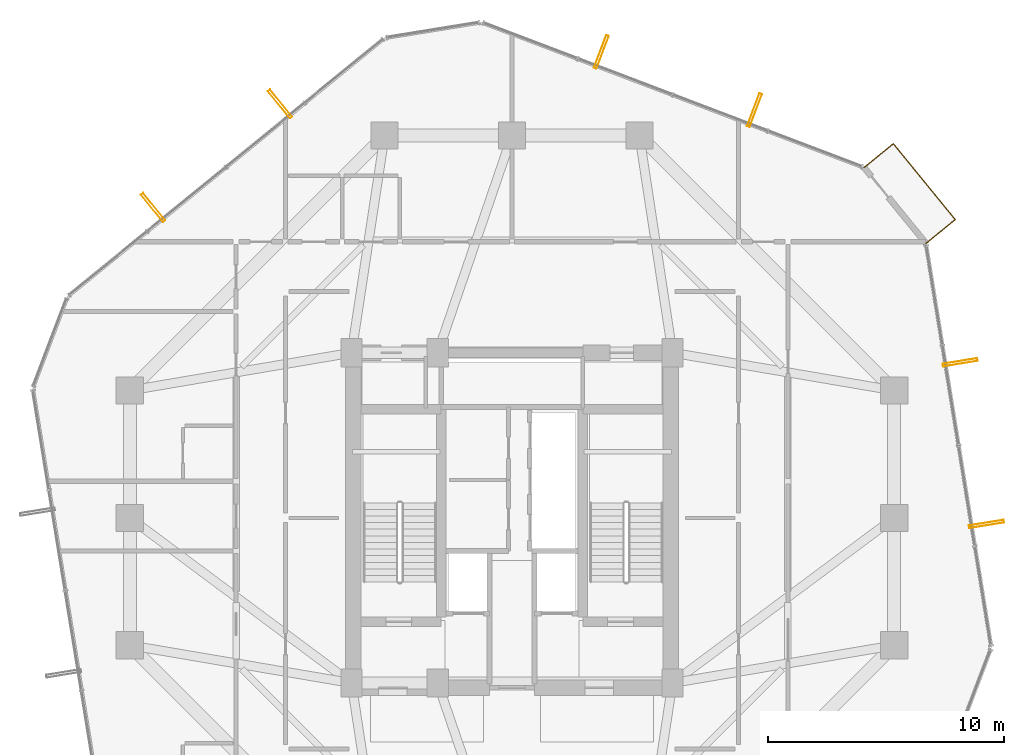
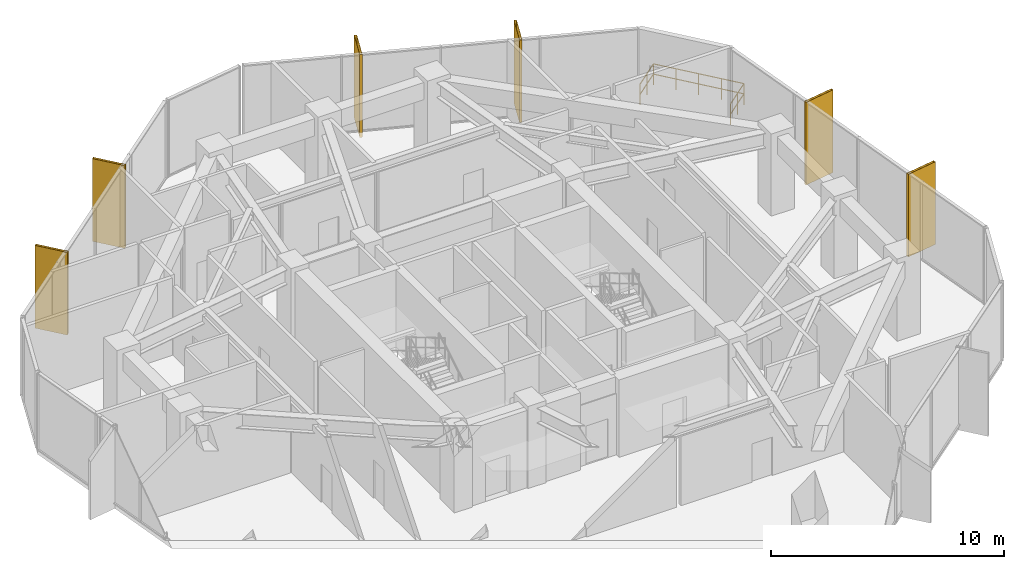
# One storey, part 26 of 26: 6 shading devices, 1 railing.
"""IFC4 building model written with IfcOpenShell, lengths in metres."""

from ifc_helpers import new_model, si_unit, direction, frame, origin, origin_2d, place, context, subcontext, project, spatial, hollow_rectangle, circle, extrude, material, material_profile, profile_set, type_object, element, save


model = new_model("IFC4")

# Units and contexts
model_context = context("Model", 3, precision=1e-05, world=origin(), true_north=direction((0.0, 1.0)))
body_context = subcontext(model_context, "Body", "Model", "MODEL_VIEW")
ifc_project = project(units=[si_unit("LENGTHUNIT", "METRE"), si_unit("AREAUNIT", "SQUARE_METRE"), si_unit("VOLUMEUNIT", "CUBIC_METRE"), si_unit("PLANEANGLEUNIT", "RADIAN"), si_unit("MASSUNIT", "GRAM", prefix="KILO")], contexts=[model_context])

# Site, building, storey
site_placement = place(None, origin())
site = spatial("IfcSite", under=ifc_project, at=site_placement, CompositionType="ELEMENT")
building_placement = place(site_placement, origin())
building = spatial("IfcBuilding", under=site, at=building_placement, Name="Veraguas Prism Commons", CompositionType="ELEMENT")
storey_placement = place(building_placement, frame((0.0, 0.0, 158.75)))
storey = spatial("IfcBuildingStorey", under=building, at=storey_placement, Name="L45", CompositionType="ELEMENT", Elevation=158.75)

# Shading devices
ifc_material_1 = material(Name="Anodised aluminium EN AW-6063 T6", Category="aluminium")
ifc_material_profile = material_profile(ifc_material_1, hollow_rectangle(XDim=0.1201171875, YDim=1.489990234375, WallThickness=0.006103515625, at=origin_2d()), Name="FIN120X1490X6")
ifc_profile_set = profile_set([ifc_material_profile], Name="Anodised aluminium EN AW-6063 T6")
shading_device_type = type_object("IfcShadingDeviceType", Name="Deep Pale-Metal Vertical Solar Fin 120x1490", PredefinedType="USERDEFINED", material=ifc_profile_set)
for number, where, z_axis, x_axis, name in (
    (1, (34.278564453125, 41.283935546875, -0.260009765625), (0.0, 0.0, 1.0), (-0.934825056616, 0.355108593986, 0.0), "Vertical Pale-Metal Solar Fin L45-F1A"),
    (2, (27.7890625, 43.7490234375, -0.260009765625), (0.0, 0.0, 1.0), (-0.934825056616, 0.355108593986, 0.0), "Vertical Pale-Metal Solar Fin L45-F1B"),
    (3, (14.1708984375, 41.54345703125, -0.260009765625), (0.0, 0.0, 1.0), (-0.774944488704, -0.632029302665, 0.0), "Vertical Pale-Metal Solar Fin L45-F2A"),
    (4, (8.79150390625, 37.156005859375, -0.260009765625), (0.0, 0.0, 1.0), (-0.774944488704, -0.632029302665, 0.0), "Vertical Pale-Metal Solar Fin L45-F2B"),
    (5, (44.107666015625, 23.740478515625, -0.260009765625), (0.0, 0.0, 1.0), (-0.159877741935, 0.987136823158, 0.0), "Vertical Pale-Metal Solar Fin L45-F6A"),
    (6, (42.997802734375, 30.593017578125, -0.260009765625), (0.0, 0.0, 1.0), (-0.159877741935, 0.987136823158, 0.0), "Vertical Pale-Metal Solar Fin L45-F6B"),
):
    element("IfcShadingDevice", number, at=place(storey_placement, frame(where, z_axis=z_axis, x_axis=x_axis)), inside=storey, type_object=shading_device_type, Name=name, ObjectType="FIN", PredefinedType="USERDEFINED", context=body_context, shape_type="SweptSolid", body=[
        extrude(hollow_rectangle(XDim=0.1201171875, YDim=1.489990234375, WallThickness=0.006103515625, at=origin_2d()), origin(), (0.0, 0.0, 1.0), 4.330078125),
    ])

# Railing
ifc_material_2 = material(Name="Stainless steel AISI 316", Category="steel")
railing_type = type_object("IfcRailingType", Name="Loggia and Sky Pool Glazed Balustrade 1120", PredefinedType="BALUSTRADE", material=ifc_material_2)
railing_placement = place(storey_placement, frame((41.54833984375, 35.632568359375, 0.0)))
element("IfcRailing", 7, at=railing_placement, inside=storey, type_object=railing_type, Name="Recessed Corner Loggia L45-C1 Guard", PredefinedType="BALUSTRADE", context=body_context, shape_type="SweptSolid", body=[
    extrude(circle(Radius=0.02392578125, at=origin_2d()), frame((0.0, 0.0, 1.09619140625), z_axis=(0.774969248877, 0.631998942479, 0.0), x_axis=(-0.631998942479, 0.774969248877, 0.0)), (0.0, 0.0, 1.0), 1.60009765625),
    extrude(circle(Radius=0.02392578125, at=origin_2d()), frame((0.0, 0.0, 0.56005859375), z_axis=(0.774969248877, 0.631998942479, 0.0), x_axis=(-0.631998942479, 0.774969248877, 0.0)), (0.0, 0.0, 1.0), 1.60009765625),
    extrude(circle(Radius=0.02392578125, at=origin_2d()), frame((1.239990234375, 1.01123046875, 1.09619140625), z_axis=(-0.632036629744, 0.774938512827, 0.0), x_axis=(-0.774938512827, -0.632036629744, 0.0)), (0.0, 0.0, 1.0), 4.1533203125),
    extrude(circle(Radius=0.02392578125, at=origin_2d()), frame((1.239990234375, 1.01123046875, 0.56005859375), z_axis=(-0.632036629744, 0.774938512827, 0.0), x_axis=(-0.774938512827, -0.632036629744, 0.0)), (0.0, 0.0, 1.0), 4.1533203125),
    extrude(circle(Radius=0.02392578125, at=origin_2d()), frame((-1.385009765625, 4.229736328125, 1.09619140625), z_axis=(-0.774833550857, -0.632165301536, 0.0), x_axis=(0.632165301536, -0.774833550857, 0.0)), (0.0, 0.0, 1.0), 1.60009765625),
    extrude(circle(Radius=0.02392578125, at=origin_2d()), frame((-1.385009765625, 4.229736328125, 0.56005859375), z_axis=(-0.774833550857, -0.632165301536, 0.0), x_axis=(0.632165301536, -0.774833550857, 0.0)), (0.0, 0.0, 1.0), 1.60009765625),
    extrude(circle(Radius=0.02099609375, at=origin_2d()), origin(), (0.0, 0.0, 1.0), 1.072021484375),
    extrude(circle(Radius=0.02099609375, at=origin_2d()), frame((0.6201171875, 0.505615234375, 0.0)), (0.0, 0.0, 1.0), 1.072021484375),
    extrude(circle(Radius=0.02099609375, at=origin_2d()), frame((1.239990234375, 1.01123046875, 0.0)), (0.0, 0.0, 1.0), 1.072021484375),
    extrude(circle(Radius=0.02099609375, at=origin_2d()), frame((0.583740234375, 1.81591796875, 0.0)), (0.0, 0.0, 1.0), 1.072021484375),
    extrude(circle(Radius=0.02099609375, at=origin_2d()), frame((-0.072509765625, 2.62060546875, 0.0)), (0.0, 0.0, 1.0), 1.072021484375),
    extrude(circle(Radius=0.02099609375, at=origin_2d()), frame((-0.728759765625, 3.425048828125, 0.0)), (0.0, 0.0, 1.0), 1.072021484375),
    extrude(circle(Radius=0.02099609375, at=origin_2d()), frame((-1.385009765625, 4.229736328125, 0.0)), (0.0, 0.0, 1.0), 1.072021484375),
    extrude(circle(Radius=0.02099609375, at=origin_2d()), frame((-2.0048828125, 3.72412109375, 0.0)), (0.0, 0.0, 1.0), 1.072021484375),
    extrude(circle(Radius=0.02099609375, at=origin_2d()), frame((-2.624755859375, 3.21826171875, 0.0)), (0.0, 0.0, 1.0), 1.072021484375),
])

save(model, "model.ifc")
